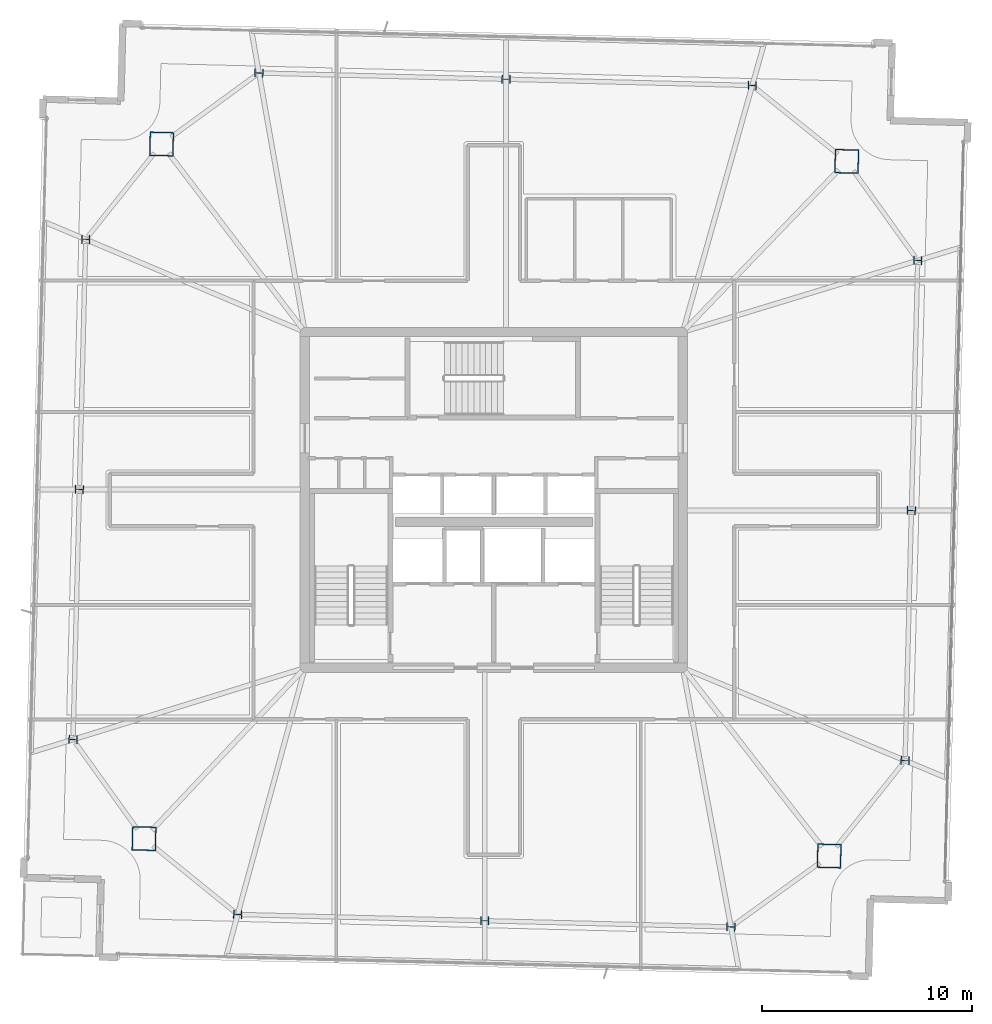
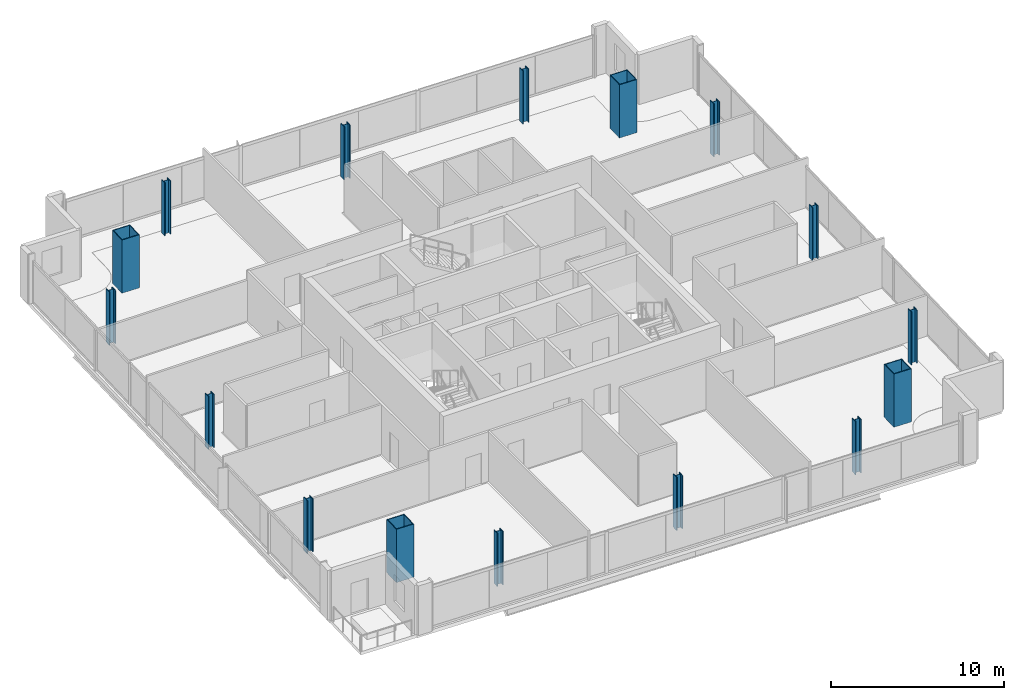
# One storey, part 1 of 25: 16 columns.
"""IFC4 building model written with IfcOpenShell, lengths in metres."""

from ifc_helpers import new_model, si_unit, direction, frame, origin, origin_2d, place, context, subcontext, project, spatial, hollow_rectangle, i_section, extrude, material, material_profile, profile_set, type_object, element, save


model = new_model("IFC4")

# Units and contexts
model_context = context("Model", 3, precision=1e-05, world=origin(), true_north=direction((0.0, 1.0)))
body_context = subcontext(model_context, "Body", "Model", "MODEL_VIEW")
ifc_project = project(units=[si_unit("LENGTHUNIT", "METRE"), si_unit("AREAUNIT", "SQUARE_METRE"), si_unit("VOLUMEUNIT", "CUBIC_METRE"), si_unit("PLANEANGLEUNIT", "RADIAN"), si_unit("MASSUNIT", "GRAM", prefix="KILO")], contexts=[model_context])

# Site, building, storey
site_placement = place(None, origin())
site = spatial("IfcSite", under=ifc_project, at=site_placement, CompositionType="ELEMENT")
building_placement = place(site_placement, origin())
building = spatial("IfcBuilding", under=site, at=building_placement, Name="Haldenkirk Collegiate Tower", CompositionType="ELEMENT")
storey_placement = place(building_placement, frame((0.0, 0.0, 325.199951171875)))
storey = spatial("IfcBuildingStorey", under=building, at=storey_placement, Name="L82", CompositionType="ELEMENT", Elevation=325.199951171875)

# Columns
ifc_material_1 = material(Name="Steel ASTM A913 Grade 65", Category="steel")
ifc_material_profile_1 = material_profile(ifc_material_1, i_section(OverallWidth=0.406005859375, OverallDepth=0.416015625, WebThickness=0.02978515625, FlangeThickness=0.048095703125, at=origin_2d()), Name="W14X257")
ifc_profile_set_1 = profile_set([ifc_material_profile_1], Name="Steel ASTM A913 Grade 65")
column_type_1 = type_object("IfcColumnType", Name="COL-INT-W14X257", PredefinedType="COLUMN", material=ifc_profile_set_1)
for number, where, z_axis, x_axis, name in (
    (1, (55.592041015625, 13.584228515625, 0.0), (0.0, 0.0, 1.0), (0.025304572866, 0.999679788028, 0.0), "L82 perimeter gravity column PC-S1"),
    (2, (55.8935546875, 25.496337890625, 0.0), (0.0, 0.0, 1.0), (0.025304572866, 0.999679788028, 0.0), "L82 perimeter gravity column PC-S2"),
    (3, (56.1953125, 37.40869140625, 0.0), (0.0, 0.0, 1.0), (0.025304572866, 0.999679788028, 0.0), "L82 perimeter gravity column PC-S3"),
    (4, (48.3115234375, 45.744873046875, 0.0), (0.0, 0.0, 1.0), (0.025304572866, 0.999679788028, 0.0), "L82 perimeter gravity column PC-E1"),
    (5, (36.582275390625, 46.041748046875, 0.0), (0.0, 0.0, 1.0), (0.025304572866, 0.999679788028, 0.0), "L82 perimeter gravity column PC-E2"),
    (6, (24.81103515625, 46.339599609375, 0.0), (0.0, 0.0, 1.0), (0.025304572866, 0.999679788028, 0.0), "L82 perimeter gravity column PC-E3"),
    (7, (16.557861328125, 38.411865234375, 0.0), (0.0, 0.0, 1.0), (0.025304572866, 0.999679788028, 0.0), "L82 perimeter gravity column PC-N1"),
    (8, (16.25634765625, 26.499755859375, 0.0), (0.0, 0.0, 1.0), (0.025304572866, 0.999679788028, 0.0), "L82 perimeter gravity column PC-N2"),
    (9, (15.954833984375, 14.587646484375, 0.0), (0.0, 0.0, 1.0), (0.025304572866, 0.999679788028, 0.0), "L82 perimeter gravity column PC-N3"),
    (10, (23.79638671875, 6.25244140625, 0.0), (0.0, 0.0, 1.0), (0.025304572866, 0.999679788028, 0.0), "L82 perimeter gravity column PC-W1"),
    (11, (35.567626953125, 5.95458984375, 0.0), (0.0, 0.0, 1.0), (0.025304572866, 0.999679788028, 0.0), "L82 perimeter gravity column PC-W2"),
    (12, (47.296875, 5.65771484375, 0.0), (0.0, 0.0, 1.0), (0.025304572866, 0.999679788028, 0.0), "L82 perimeter gravity column PC-W3"),
):
    element("IfcColumn", number, at=place(storey_placement, frame(where, z_axis=z_axis, x_axis=x_axis)), inside=storey, type_object=column_type_1, Name=name, PredefinedType="COLUMN", context=body_context, shape_type="SweptSolid", body=[
        extrude(i_section(OverallWidth=0.406005859375, OverallDepth=0.416015625, WebThickness=0.02978515625, FlangeThickness=0.048095703125, at=origin_2d()), origin(), (0.0, 0.0, 1.0), 3.75),
    ])
ifc_material_2 = material(Name="Steel ASTM A572 Grade 50", Category="steel")
ifc_material_profile_2 = material_profile(ifc_material_2, hollow_rectangle(XDim=1.14990234375, YDim=1.14990234375, WallThickness=0.050048828125, at=origin_2d()), Name="BOX1150X1150X50")
ifc_profile_set_2 = profile_set([ifc_material_profile_2], Name="Steel ASTM A572 Grade 50")
column_type_2 = type_object("IfcColumnType", Name="COL-MEGA-BOX1150X1150X50", PredefinedType="COLUMN", material=ifc_profile_set_2)
for number, where, z_axis, x_axis, name in (
    (13, (51.97607421875, 9.040283203125, 0.0), (0.0, 0.0, 1.0), (0.025304572866, 0.999679788028, 0.0), "L82 corner mega-column MC1"),
    (14, (52.8134765625, 42.129638671875, 0.0), (0.0, 0.0, 1.0), (0.025304572866, 0.999679788028, 0.0), "L82 corner mega-column MC2"),
    (15, (20.174072265625, 42.955810546875, 0.0), (0.0, 0.0, 1.0), (0.025304572866, 0.999679788028, 0.0), "L82 corner mega-column MC3"),
    (16, (19.33642578125, 9.866455078125, 0.0), (0.0, 0.0, 1.0), (0.025304572866, 0.999679788028, 0.0), "L82 corner mega-column MC4"),
):
    element("IfcColumn", number, at=place(storey_placement, frame(where, z_axis=z_axis, x_axis=x_axis)), inside=storey, type_object=column_type_2, Name=name, PredefinedType="COLUMN", context=body_context, shape_type="SweptSolid", body=[
        extrude(hollow_rectangle(XDim=1.14990234375, YDim=1.14990234375, WallThickness=0.050048828125, at=origin_2d()), origin(), (0.0, 0.0, 1.0), 3.75),
    ])

save(model, "model.ifc")
